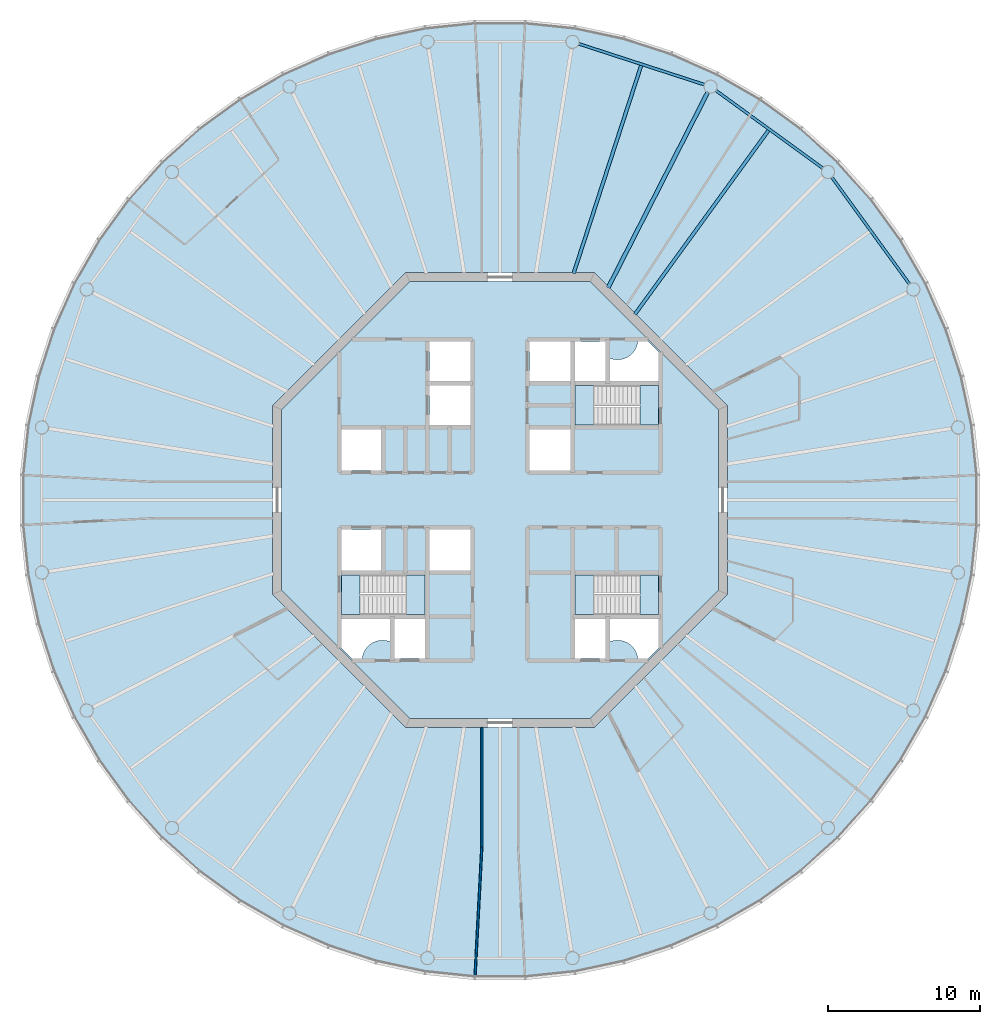
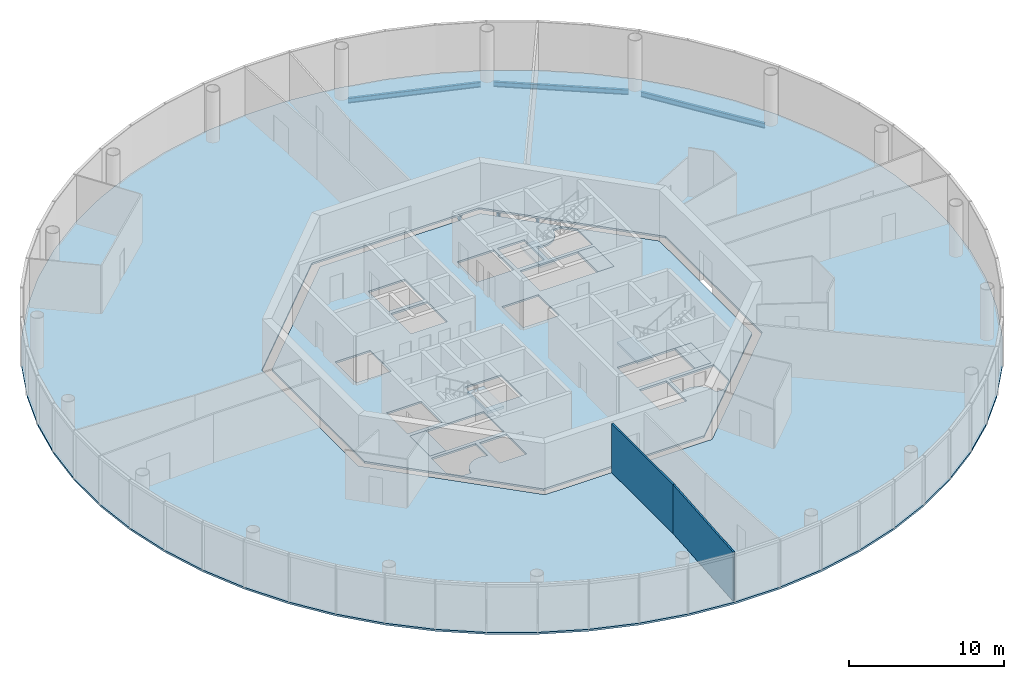
# One storey, part 2 of 13: 8 slabs, 6 beams, 2 walls, 3 elements without a shape of their own.
"""IFC4 building model written with IfcOpenShell, lengths in metres."""

from ifc_helpers import new_model, si_unit, direction, frame, frame_2d, origin, origin_2d, place, context, subcontext, project, spatial, polyline, rectangle, i_section, outline, extrude, material, layer, layer_set, material_profile, profile_set, type_object, element, aggregate, save


model = new_model("IFC4")

# Units and contexts
model_context = context("Model", 3, precision=1e-05, world=origin(), true_north=direction((0.0, 1.0)))
body_context = subcontext(model_context, "Body", "Model", "MODEL_VIEW")
ifc_project = project(units=[si_unit("LENGTHUNIT", "METRE"), si_unit("AREAUNIT", "SQUARE_METRE"), si_unit("VOLUMEUNIT", "CUBIC_METRE"), si_unit("PLANEANGLEUNIT", "RADIAN"), si_unit("MASSUNIT", "GRAM", prefix="KILO")], contexts=[model_context])

# Site, building, storey
site_placement = place(None, origin())
site = spatial("IfcSite", under=ifc_project, at=site_placement, CompositionType="ELEMENT")
building_placement = place(site_placement, origin())
building = spatial("IfcBuilding", under=site, at=building_placement, Name="Entoto Ring Tower", CompositionType="ELEMENT")
storey_placement = place(building_placement, frame((0.0, 0.0, 348.0)))
storey = spatial("IfcBuildingStorey", under=building, at=storey_placement, Name="L80", CompositionType="ELEMENT", Elevation=348.0)

# Beams
ifc_material_1 = material(Name="Steel S355", Category="steel")
ifc_material_profile_1 = material_profile(ifc_material_1, i_section(OverallWidth=0.179931640625, OverallDepth=0.39990234375, WebThickness=0.008544921875, FlangeThickness=0.013427734375, FilletRadius=0.02099609375, at=origin_2d()), Name="IPE 400")
ifc_profile_set_1 = profile_set([ifc_material_profile_1], Name="Steel S355")
beam_type_1 = type_object("IfcBeamType", Name="Edge beam IPE 400", PredefinedType="SPANDREL", material=ifc_profile_set_1)
for number, where, z_axis, x_axis, name in (
    (1, (117.017333984375, 94.232666015625, -0.35009765625), (-0.587794254874, 0.80901045354, 0.0), (-0.80901045354, -0.587794254874, 0.0), "Edge beam L80 02"),
    (2, (111.296875, 101.884765625, -0.35009765625), (-0.80901045354, 0.587794254874, 0.0), (-0.587794254874, -0.80901045354, 0.0), "Edge beam L80 03"),
):
    element("IfcBeam", number, at=place(storey_placement, frame(where, z_axis=z_axis, x_axis=x_axis)), inside=storey, type_object=beam_type_1, Name=name, PredefinedType="SPANDREL", context=body_context, shape_type="SweptSolid", body=[
        extrude(i_section(OverallWidth=0.179931640625, OverallDepth=0.39990234375, WebThickness=0.008544921875, FlangeThickness=0.013427734375, FilletRadius=0.02099609375, at=origin_2d()), origin(), (0.0, 0.0, 1.0), 8.73193359375),
    ])
beam_1_placement = place(storey_placement, frame((103.491943359375, 107.394775390625, -0.35009765625), z_axis=(-0.951052147972, 0.309030438368, 0.0), x_axis=(-0.309030438368, -0.951052147972, 0.0)))
element("IfcBeam", 3, at=beam_1_placement, inside=storey, type_object=beam_type_1, Name="Edge beam L80 04", PredefinedType="SPANDREL", context=body_context, shape_type="SweptSolid", body=[
    extrude(i_section(OverallWidth=0.179931640625, OverallDepth=0.39990234375, WebThickness=0.008544921875, FlangeThickness=0.013427734375, FilletRadius=0.02099609375, at=origin_2d()), origin(), (0.0, 0.0, 1.0), 8.732177734375),
])
ifc_material_2 = material(Name="Steel S355", Category="steel")
ifc_material_profile_2 = material_profile(ifc_material_2, i_section(OverallWidth=0.262939453125, OverallDepth=0.7529296875, WebThickness=0.011474609375, FlangeThickness=0.01708984375, FilletRadius=0.01708984375, at=origin_2d()), Name="IPE 750 x 137")
ifc_profile_set_2 = profile_set([ifc_material_profile_2], Name="Steel S355")
beam_type_2 = type_object("IfcBeamType", Name="Primary floor beam IPE 750 x 137", PredefinedType="BEAM", material=ifc_profile_set_2)
beam_2_placement = place(storey_placement, frame((97.1318359375, 93.9970703125, -0.526611328125), z_axis=(0.453991952968, 0.89100578373, 0.0), x_axis=(-0.89100578373, 0.453991952968, 0.0)))
element("IfcBeam", 4, at=beam_2_placement, inside=storey, type_object=beam_type_2, Name="Primary L80 R04", PredefinedType="BEAM", context=body_context, shape_type="SweptSolid", body=[
    extrude(i_section(OverallWidth=0.262939453125, OverallDepth=0.7529296875, WebThickness=0.011474609375, FlangeThickness=0.01708984375, FilletRadius=0.01708984375, at=origin_2d()), origin(), (0.0, 0.0, 1.0), 14.48046875),
])
ifc_material_3 = material(Name="Steel S355", Category="steel")
ifc_material_profile_3 = material_profile(ifc_material_3, i_section(OverallWidth=0.219970703125, OverallDepth=0.60009765625, WebThickness=0.011962890625, FlangeThickness=0.01904296875, FilletRadius=0.02392578125, at=origin_2d()), Name="IPE 600")
ifc_profile_set_3 = profile_set([ifc_material_profile_3], Name="Steel S355")
beam_type_3 = type_object("IfcBeamType", Name="Secondary floor beam IPE 600", PredefinedType="JOIST", material=ifc_profile_set_3)
beam_3_placement = place(storey_placement, frame((98.90478515625, 92.25634765625, -0.449951171875), z_axis=(0.587782163866, 0.809019238239, 0.0), x_axis=(-0.809019238239, 0.587782163866, 0.0)))
element("IfcBeam", 5, at=beam_3_placement, inside=storey, type_object=beam_type_3, Name="Secondary beam L80 03", PredefinedType="JOIST", context=body_context, shape_type="SweptSolid", body=[
    extrude(i_section(OverallWidth=0.219970703125, OverallDepth=0.60009765625, WebThickness=0.011962890625, FlangeThickness=0.01904296875, FilletRadius=0.02392578125, at=origin_2d()), origin(), (0.0, 0.0, 1.0), 14.983642578125),
])
beam_4_placement = place(storey_placement, frame((94.856689453125, 94.947021484375, -0.449951171875), z_axis=(0.309014850288, 0.951057212949, 0.0), x_axis=(-0.951057212949, 0.309014850288, 0.0)))
element("IfcBeam", 6, at=beam_4_placement, inside=storey, type_object=beam_type_3, Name="Secondary beam L80 04", PredefinedType="JOIST", context=body_context, shape_type="SweptSolid", body=[
    extrude(i_section(OverallWidth=0.219970703125, OverallDepth=0.60009765625, WebThickness=0.011962890625, FlangeThickness=0.01904296875, FilletRadius=0.02392578125, at=origin_2d()), origin(), (0.0, 0.0, 1.0), 14.4169921875),
])

# Slabs
ifc_material_4 = material(Name="Concrete C30/37", Category="concrete")
ifc_layer_1 = layer(ifc_material_4, 0.14990234375)
ifc_layer_set_1 = layer_set([ifc_layer_1], Name="Concrete C30/37")
slab_type_1 = type_object("IfcSlabType", Name="Composite floor slab 150 mm", PredefinedType="FLOOR", material=ifc_layer_set_1)
slab_1_placement = place(storey_placement, frame((0.0, 0.0, -0.14990234375)))
element("IfcSlab", 7, at=slab_1_placement, inside=storey, type_object=slab_type_1, Name="Floor slab L80", PredefinedType="FLOOR", context=body_context, shape_type="SweptSolid", body=[
    extrude(outline(polyline([(121.2109375, 84.943359375), (120.523193359375, 88.1787109375), (119.501220703125, 91.324462890625), (118.15576171875, 94.34619140625), (116.501953125, 97.210693359375), (114.557861328125, 99.886474609375), (112.344482421875, 102.344482421875), (109.886474609375, 104.557861328125), (107.210693359375, 106.501953125), (104.34619140625, 108.15576171875), (101.324462890625, 109.501220703125), (98.1787109375, 110.523193359375), (94.943359375, 111.2109375), (91.65380859375, 111.556640625), (88.34619140625, 111.556640625), (85.056640625, 111.2109375), (81.8212890625, 110.523193359375), (78.675537109375, 109.501220703125), (75.65380859375, 108.15576171875), (72.789306640625, 106.501953125), (70.113525390625, 104.557861328125), (67.655517578125, 102.344482421875), (65.442138671875, 99.886474609375), (63.498046875, 97.210693359375), (61.84423828125, 94.34619140625), (60.498779296875, 91.324462890625), (59.476806640625, 88.1787109375), (58.7890625, 84.943359375), (58.443359375, 81.65380859375), (58.443359375, 78.34619140625), (58.7890625, 75.056640625), (59.476806640625, 71.8212890625), (60.498779296875, 68.675537109375), (61.84423828125, 65.65380859375), (63.498046875, 62.789306640625), (65.442138671875, 60.113525390625), (67.655517578125, 57.655517578125), (70.113525390625, 55.442138671875), (72.789306640625, 53.498046875), (75.65380859375, 51.84423828125), (78.675537109375, 50.498779296875), (81.8212890625, 49.476806640625), (85.056640625, 48.7890625), (88.34619140625, 48.443359375), (91.65380859375, 48.443359375), (94.943359375, 48.7890625), (98.1787109375, 49.476806640625), (101.324462890625, 50.498779296875), (104.34619140625, 51.84423828125), (107.210693359375, 53.498046875), (109.886474609375, 55.442138671875), (112.344482421875, 57.655517578125), (114.557861328125, 60.113525390625), (116.501953125, 62.789306640625), (118.15576171875, 65.65380859375), (119.501220703125, 68.675537109375), (120.523193359375, 71.8212890625), (121.2109375, 75.056640625), (121.556640625, 78.34619140625), (121.556640625, 81.65380859375), (121.2109375, 84.943359375)]), holes=[polyline([(105.0, 73.786865234375), (105.0, 86.213134765625), (96.213134765625, 95.0), (83.786865234375, 95.0), (75.0, 86.213134765625), (75.0, 73.786865234375), (83.786865234375, 65.0), (96.213134765625, 65.0), (105.0, 73.786865234375)])]), origin(), (0.0, 0.0, 1.0), 0.14990234375),
])
ifc_material_5 = material(Name="Concrete C40/50", Category="concrete")
ifc_layer_2 = layer(ifc_material_5, 0.14990234375)
ifc_layer_set_2 = layer_set([ifc_layer_2], Name="Concrete C40/50")
slab_type_2 = type_object("IfcSlabType", Name="Core floor slab 150 mm reinforced concrete C40/50", PredefinedType="FLOOR", material=ifc_layer_set_2)
slab_2_placement = place(storey_placement, frame((0.0, 0.0, -0.14990234375)))
element("IfcSlab", 8, at=slab_2_placement, inside=storey, type_object=slab_type_2, Name="Core floor L80", PredefinedType="FLOOR", context=body_context, shape_type="SweptSolid", body=[
    extrude(outline(polyline([(104.39990234375, 74.035400390625), (104.39990234375, 85.964599609375), (95.964599609375, 94.39990234375), (84.035400390625, 94.39990234375), (75.60009765625, 85.964599609375), (75.60009765625, 74.035400390625), (84.035400390625, 65.60009765625), (95.964599609375, 65.60009765625), (104.39990234375, 74.035400390625)]), holes=[polyline([(100.449951171875, 84.949951171875), (100.449951171875, 87.550048828125), (94.949951171875, 87.550048828125), (94.949951171875, 84.949951171875), (100.449951171875, 84.949951171875)]), polyline([(85.050048828125, 72.449951171875), (85.050048828125, 75.050048828125), (79.550048828125, 75.050048828125), (79.550048828125, 72.449951171875), (85.050048828125, 72.449951171875)]), polyline([(100.449951171875, 72.449951171875), (100.449951171875, 75.050048828125), (94.949951171875, 75.050048828125), (94.949951171875, 72.449951171875), (100.449951171875, 72.449951171875)]), polyline([(94.949951171875, 90.449951171875), (94.949951171875, 87.85009765625), (96.949951171875, 87.85009765625), (96.949951171875, 90.449951171875), (94.949951171875, 90.449951171875)]), polyline([(94.949951171875, 72.14990234375), (94.949951171875, 69.550048828125), (96.949951171875, 69.550048828125), (96.949951171875, 72.14990234375), (94.949951171875, 72.14990234375)]), polyline([(83.050048828125, 72.14990234375), (83.050048828125, 69.550048828125), (85.050048828125, 69.550048828125), (85.050048828125, 72.14990234375), (83.050048828125, 72.14990234375)]), polyline([(79.550048828125, 81.949951171875), (82.14990234375, 81.949951171875), (82.14990234375, 84.64990234375), (79.550048828125, 84.64990234375), (79.550048828125, 81.949951171875)]), polyline([(79.550048828125, 75.35009765625), (82.14990234375, 75.35009765625), (82.14990234375, 78.050048828125), (79.550048828125, 78.050048828125), (79.550048828125, 75.35009765625)]), polyline([(91.949951171875, 87.85009765625), (94.64990234375, 87.85009765625), (94.64990234375, 90.449951171875), (91.949951171875, 90.449951171875), (91.949951171875, 87.85009765625)]), polyline([(91.949951171875, 81.949951171875), (94.64990234375, 81.949951171875), (94.64990234375, 84.64990234375), (91.949951171875, 84.64990234375), (91.949951171875, 81.949951171875)]), polyline([(85.35009765625, 75.35009765625), (88.050048828125, 75.35009765625), (88.050048828125, 78.050048828125), (85.35009765625, 78.050048828125), (85.35009765625, 75.35009765625)]), polyline([(85.35009765625, 84.949951171875), (88.050048828125, 84.949951171875), (88.050048828125, 87.550048828125), (85.35009765625, 87.550048828125), (85.35009765625, 84.949951171875)]), polyline([(85.35009765625, 87.85009765625), (88.050048828125, 87.85009765625), (88.050048828125, 90.449951171875), (85.35009765625, 90.449951171875), (85.35009765625, 87.85009765625)]), polyline([(97.199951171875, 89.368408203125), (97.199951171875, 87.800048828125), (100.5, 87.800048828125), (100.5, 89.723388671875), (99.723388671875, 90.5), (99.09521484375, 90.5), (99.093505859375, 90.4677734375), (99.07421875, 90.336669921875), (99.0419921875, 90.2080078125), (98.997314453125, 90.08349609375), (98.940673828125, 89.963623046875), (98.87255859375, 89.85009765625), (98.793701171875, 89.74365234375), (98.70458984375, 89.6455078125), (98.6064453125, 89.556396484375), (98.5, 89.4775390625), (98.386474609375, 89.409423828125), (98.2666015625, 89.352783203125), (98.141845703125, 89.30810546875), (98.013427734375, 89.27587890625), (97.88232421875, 89.256591796875), (97.75, 89.25), (97.61767578125, 89.256591796875), (97.486572265625, 89.27587890625), (97.358154296875, 89.30810546875), (97.2333984375, 89.352783203125), (97.199951171875, 89.368408203125)]), polyline([(80.276611328125, 69.5), (80.90478515625, 69.5), (80.906494140625, 69.5322265625), (80.92578125, 69.663330078125), (80.9580078125, 69.7919921875), (81.002685546875, 69.91650390625), (81.059326171875, 70.036376953125), (81.12744140625, 70.14990234375), (81.206298828125, 70.25634765625), (81.29541015625, 70.3544921875), (81.3935546875, 70.443603515625), (81.5, 70.5224609375), (81.613525390625, 70.590576171875), (81.7333984375, 70.647216796875), (81.858154296875, 70.69189453125), (81.986572265625, 70.72412109375), (82.11767578125, 70.743408203125), (82.25, 70.75), (82.38232421875, 70.743408203125), (82.513427734375, 70.72412109375), (82.641845703125, 70.69189453125), (82.7666015625, 70.647216796875), (82.800048828125, 70.631591796875), (82.800048828125, 72.199951171875), (79.5, 72.199951171875), (79.5, 70.276611328125), (80.276611328125, 69.5)]), polyline([(99.09521484375, 69.5), (99.723388671875, 69.5), (100.5, 70.276611328125), (100.5, 72.199951171875), (97.199951171875, 72.199951171875), (97.199951171875, 70.631591796875), (97.2333984375, 70.647216796875), (97.358154296875, 70.69189453125), (97.486572265625, 70.72412109375), (97.61767578125, 70.743408203125), (97.75, 70.75), (97.88232421875, 70.743408203125), (98.013427734375, 70.72412109375), (98.141845703125, 70.69189453125), (98.2666015625, 70.647216796875), (98.386474609375, 70.590576171875), (98.5, 70.5224609375), (98.6064453125, 70.443603515625), (98.70458984375, 70.3544921875), (98.793701171875, 70.25634765625), (98.87255859375, 70.14990234375), (98.940673828125, 70.036376953125), (98.997314453125, 69.91650390625), (99.0419921875, 69.7919921875), (99.07421875, 69.663330078125), (99.093505859375, 69.5322265625), (99.09521484375, 69.5)])]), origin(), (0.0, 0.0, 1.0), 0.14990234375),
])

# Stair, slabs
ifc_material_6 = material(Name="Concrete C40/50", Category="concrete")
stair_type = type_object("IfcStairType", Name="Exit stair 1200 mm dog-leg reinforced concrete", PredefinedType="HALF_TURN_STAIR", material=ifc_material_6)
stair_1_placement = place(storey_placement, origin())
stair_1 = element("IfcStair", 9, at=stair_1_placement, inside=storey, type_object=stair_type, Name="Exit stair 1", PredefinedType="HALF_TURN_STAIR")
ifc_material_7 = material(Name="Concrete C40/50", Category="concrete")
ifc_layer_3 = layer(ifc_material_7, 0.199951171875)
ifc_layer_set_3 = layer_set([ifc_layer_3], Name="Concrete C40/50")
slab_type_3 = type_object("IfcSlabType", Name="Stair landing 200 mm reinforced concrete", PredefinedType="LANDING", material=ifc_layer_set_3)
slab_3_placement = place(storey_placement, frame((0.0, 0.0, -0.199951171875)))
slab_3 = element("IfcSlab", 10, at=slab_3_placement, type_object=slab_type_3, Name="ST1 landing 1", PredefinedType="LANDING", context=body_context, shape_type="SweptSolid", body=[
    extrude(outline(polyline([(100.449951171875, 84.949951171875), (100.449951171875, 87.550048828125), (99.25, 87.550048828125), (99.25, 84.949951171875), (100.449951171875, 84.949951171875)])), origin(), (0.0, 0.0, 1.0), 0.199951171875),
])
slab_4_placement = place(storey_placement, frame((0.0, 0.0, 1.800048828125)))
slab_4 = element("IfcSlab", 11, at=slab_4_placement, type_object=slab_type_3, Name="ST1 landing 2", PredefinedType="LANDING", context=body_context, shape_type="SweptSolid", body=[
    extrude(outline(polyline([(94.949951171875, 84.949951171875), (96.169921875, 84.949951171875), (96.169921875, 87.550048828125), (94.949951171875, 87.550048828125), (94.949951171875, 84.949951171875)])), origin(), (0.0, 0.0, 1.0), 0.199951171875),
])
aggregate(stair_1, [slab_3, slab_4])

stair_2_placement = place(storey_placement, origin())
stair_2 = element("IfcStair", 12, at=stair_2_placement, inside=storey, type_object=stair_type, Name="Exit stair 2", PredefinedType="HALF_TURN_STAIR")
slab_5_placement = place(storey_placement, frame((0.0, 0.0, -0.199951171875)))
slab_5 = element("IfcSlab", 13, at=slab_5_placement, type_object=slab_type_3, Name="ST2 landing 1", PredefinedType="LANDING", context=body_context, shape_type="SweptSolid", body=[
    extrude(outline(polyline([(80.75, 72.449951171875), (80.75, 75.050048828125), (79.550048828125, 75.050048828125), (79.550048828125, 72.449951171875), (80.75, 72.449951171875)])), origin(), (0.0, 0.0, 1.0), 0.199951171875),
])
slab_6_placement = place(storey_placement, frame((0.0, 0.0, 1.800048828125)))
slab_6 = element("IfcSlab", 14, at=slab_6_placement, type_object=slab_type_3, Name="ST2 landing 2", PredefinedType="LANDING", context=body_context, shape_type="SweptSolid", body=[
    extrude(outline(polyline([(83.830078125, 72.449951171875), (85.050048828125, 72.449951171875), (85.050048828125, 75.050048828125), (83.830078125, 75.050048828125), (83.830078125, 72.449951171875)])), origin(), (0.0, 0.0, 1.0), 0.199951171875),
])
aggregate(stair_2, [slab_5, slab_6])

stair_3_placement = place(storey_placement, origin())
stair_3 = element("IfcStair", 15, at=stair_3_placement, inside=storey, type_object=stair_type, Name="Exit stair 3", PredefinedType="HALF_TURN_STAIR")
slab_7_placement = place(storey_placement, frame((0.0, 0.0, -0.199951171875)))
slab_7 = element("IfcSlab", 16, at=slab_7_placement, type_object=slab_type_3, Name="ST3 landing 1", PredefinedType="LANDING", context=body_context, shape_type="SweptSolid", body=[
    extrude(outline(polyline([(100.449951171875, 72.449951171875), (100.449951171875, 75.050048828125), (99.25, 75.050048828125), (99.25, 72.449951171875), (100.449951171875, 72.449951171875)])), origin(), (0.0, 0.0, 1.0), 0.199951171875),
])
slab_8_placement = place(storey_placement, frame((0.0, 0.0, 1.800048828125)))
slab_8 = element("IfcSlab", 17, at=slab_8_placement, type_object=slab_type_3, Name="ST3 landing 2", PredefinedType="LANDING", context=body_context, shape_type="SweptSolid", body=[
    extrude(outline(polyline([(94.949951171875, 72.449951171875), (96.169921875, 72.449951171875), (96.169921875, 75.050048828125), (94.949951171875, 75.050048828125), (94.949951171875, 72.449951171875)])), origin(), (0.0, 0.0, 1.0), 0.199951171875),
])
aggregate(stair_3, [slab_7, slab_8])

# Walls
ifc_material_8 = material(Name="Fire-resisting plasterboard on steel studs", Category="steel")
ifc_layer_4 = layer(ifc_material_8, 0.125)
ifc_layer_set_4 = layer_set([ifc_layer_4], Name="Fire-resisting plasterboard on steel studs")
wall_type = type_object("IfcWallType", Name="Corridor wall 125 mm one-hour plasterboard on steel studs", PredefinedType="PARTITIONING", material=ifc_layer_set_4)
wall_1_placement = place(storey_placement, frame((88.3544921875, 48.60302734375, 0.0), z_axis=(0.0, 0.0, 1.0), x_axis=(0.05234956051, 0.998628821692, 0.0)))
element("IfcWall", 18, at=wall_1_placement, inside=storey, type_object=wall_type, Name="partition-L80-003", PredefinedType="PARTITIONING", context=body_context, shape_type="SweptSolid", body=[
    extrude(rectangle(XDim=8.51123046875, YDim=0.125, at=frame_2d((4.255615234375, 0.0))), origin(), (0.0, 0.0, 1.0), 3.85009765625),
])
wall_2_placement = place(storey_placement, frame((88.800048828125, 57.10595703125, 0.0), z_axis=(0.0, 0.0, 1.0), x_axis=(0.0, 1.0, 0.0)))
element("IfcWall", 19, at=wall_2_placement, inside=storey, type_object=wall_type, Name="partition-L80-011", PredefinedType="PARTITIONING", context=body_context, shape_type="SweptSolid", body=[
    extrude(rectangle(XDim=7.89404296875, YDim=0.125, at=frame_2d((3.947021484375, 0.0))), origin(), (0.0, 0.0, 1.0), 3.85009765625),
])

save(model, "model.ifc")
